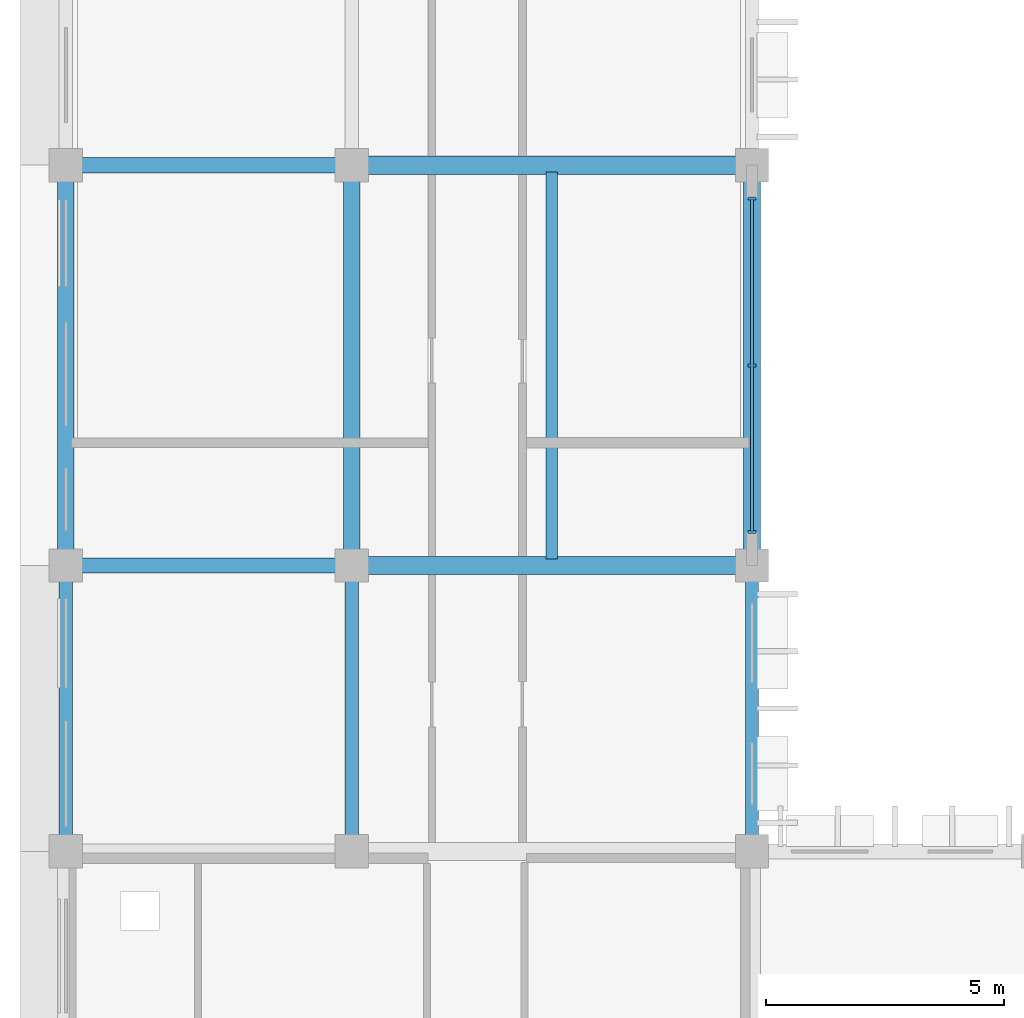
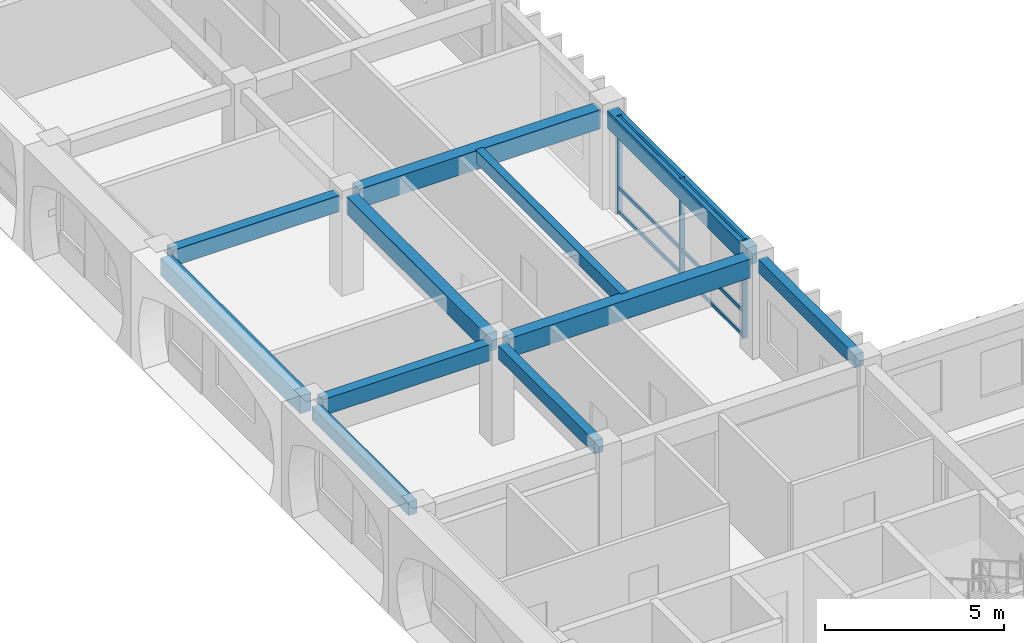
# One storey, part 14 of 88: 11 beams, 6 members, 1 element without a shape of its own.
"""IFC4 building model written with IfcOpenShell, lengths in metres."""

import ifcopenshell
import ifcopenshell.guid

model = None  # the IFC model being written
_history = None  # IfcOwnerHistory: only IFC2X3 demands one
_inside = {}  # id of a spatial element -> (the spatial element, [elements in it])
_under = {}  # id of a project, library or spatial element -> (it, [spatial elements below it])
_declared = {}  # id of a project -> (the project, [libraries it declares])
_typed = {}  # id of a type object -> (the type object, [elements of that type])
_made_of = {}  # id of a material, layer set ... -> (it, [elements and type objects made of it])


def new_model(schema):
    """Start an empty IFC model of exactly this schema.

    Asked for "IFC4X3", IfcOpenShell would pick the latest addendum, in which some entities
    have other attributes; the version numbers below select the first issue.
    IFC2X3 requires an IfcOwnerHistory on every rooted entity: one is made here for all.
    """
    global model, _history
    if schema == "IFC4X3":
        model = ifcopenshell.file(schema_version=(4, 3, 0, 0))
    else:
        model = ifcopenshell.file(schema=schema)
    _inside.clear()
    _under.clear()
    _declared.clear()
    _typed.clear()
    _made_of.clear()
    _history = None
    if model.schema == "IFC2X3":
        org = make("IfcOrganization", Name="unknown")
        user = make(
            "IfcPersonAndOrganization",
            ThePerson=make("IfcPerson", FamilyName="unknown"),
            TheOrganization=org,
        )
        app = make(
            "IfcApplication",
            ApplicationDeveloper=org,
            Version="unknown",
            ApplicationFullName="unknown",
            ApplicationIdentifier="unknown",
        )
        _history = make(
            "IfcOwnerHistory",
            OwningUser=user,
            OwningApplication=app,
            ChangeAction="ADDED",
            CreationDate=0,
        )
    return model


def make(cls, **values):
    """One entity of the class cls with the attributes given. An attribute that is None is left unset."""
    return model.create_entity(
        cls, **{name: value for name, value in values.items() if value is not None}
    )


def rooted(cls, **values):
    """An entity with a GlobalId (a new one), such as an element, a storey or a relation."""
    return make(cls, GlobalId=ifcopenshell.guid.new(), OwnerHistory=_history, **values)


def si_unit(unit_type, name, prefix=None):
    """IfcSIUnit, for example si_unit("LENGTHUNIT", "METRE", prefix="MILLI")."""
    return make("IfcSIUnit", UnitType=unit_type, Prefix=prefix, Name=name)


def assignment(units):
    """IfcUnitAssignment: the units of a project."""
    return None if units is None else make("IfcUnitAssignment", Units=units)


def point(xyz):
    """IfcCartesianPoint."""
    return None if xyz is None else make("IfcCartesianPoint", Coordinates=xyz)


def direction(xyz):
    """IfcDirection."""
    return None if xyz is None else make("IfcDirection", DirectionRatios=xyz)


def frame(location, z_axis=None, x_axis=None):
    """IfcAxis2Placement3D, a coordinate frame: its origin and axes. An axis left out is left unset."""
    return make(
        "IfcAxis2Placement3D",
        Location=point(location),
        Axis=direction(z_axis),
        RefDirection=direction(x_axis),
    )


def frame_2d(location, x_axis=None):
    """IfcAxis2Placement2D, a coordinate frame in the plane: its origin and x axis."""
    return make(
        "IfcAxis2Placement2D", Location=point(location), RefDirection=direction(x_axis)
    )


def origin():
    """The frame at (0, 0, 0) with its axes left unset."""
    return frame((0.0, 0.0, 0.0))


def origin_2d():
    """The frame at (0, 0) in the plane with its x axis left unset."""
    return frame_2d((0.0, 0.0))


def place(relative_to, where):
    """IfcLocalPlacement: puts the frame where relative to a parent placement (None: the world)."""
    return make(
        "IfcLocalPlacement", PlacementRelTo=relative_to, RelativePlacement=where
    )


def context(
    kind, dimensions, precision=None, world=None, true_north=None, identifier=None
):
    """IfcGeometricRepresentationContext, for example the 3D "Model" context."""
    return make(
        "IfcGeometricRepresentationContext",
        ContextIdentifier=identifier,
        ContextType=kind,
        CoordinateSpaceDimension=dimensions,
        Precision=precision,
        WorldCoordinateSystem=world,
        TrueNorth=true_north,
    )


def subcontext(parent, identifier, kind, view, scale=None):
    """IfcGeometricRepresentationSubContext, for example "Body" below "Model"."""
    return make(
        "IfcGeometricRepresentationSubContext",
        ContextIdentifier=identifier,
        ContextType=kind,
        ParentContext=parent,
        TargetScale=scale,
        TargetView=view,
    )


def project(units=None, contexts=None):
    """IfcProject with its units and contexts."""
    return rooted(
        "IfcProject",
        Name="project",
        RepresentationContexts=contexts,
        UnitsInContext=assignment(units),
    )


def spatial(cls, under=None, at=None, **own):
    """A site, building, storey or space (cls), placed at a placement, below another one or the project."""
    s = rooted(cls, ObjectPlacement=at, **own)
    if under is not None:
        _under.setdefault(under.id(), (under, []))[1].append(s)
    return s


def profile(cls, at=None, kind="AREA", **sizes):
    """A parametric profile (cls). Its sizes go by their IFC names, for example OverallWidth=200.0."""
    return make(cls, ProfileType=kind, Position=at, **sizes)


def rectangle(**sizes):
    """IfcRectangleProfileDef."""
    return profile("IfcRectangleProfileDef", **sizes)


def extrude(swept, where, along, depth):
    """IfcExtrudedAreaSolid: the profile swept, set in the frame where, extruded along a direction by depth."""
    return make(
        "IfcExtrudedAreaSolid",
        SweptArea=swept,
        Position=where,
        ExtrudedDirection=direction(along),
        Depth=depth,
    )


def shape(context_of_items, identifier, shape_type, items):
    """IfcShapeRepresentation: the items that make up one representation, for example the "Body"."""
    return make(
        "IfcShapeRepresentation",
        ContextOfItems=context_of_items,
        RepresentationIdentifier=identifier,
        RepresentationType=shape_type,
        Items=items,
    )


def material(Name=None, Category=None):
    """IfcMaterial."""
    return make("IfcMaterial", Name=Name, Category=Category)


def material_profile(
    of_material, cross_section, Name=None, Category=None, Priority=None
):
    """IfcMaterialProfile: a cross section and its material."""
    return make(
        "IfcMaterialProfile",
        Name=Name,
        Material=of_material,
        Profile=cross_section,
        Priority=Priority,
        Category=Category,
    )


def profile_set(profiles, Name=None, composite=None):
    """IfcMaterialProfileSet."""
    return make(
        "IfcMaterialProfileSet",
        Name=Name,
        MaterialProfiles=profiles,
        CompositeProfile=composite,
    )


def made_of(thing, what):
    """Note that an element or type object is made of a material, layer set ...; save() writes the relation."""
    if what is not None:
        _made_of.setdefault(what.id(), (what, []))[1].append(thing)
    return thing


def type_object(cls, material=None, **own):
    """A type object (cls), such as IfcWallType, which elements share."""
    return made_of(rooted(cls, **own), material)


def element(
    cls,
    number,
    at=None,
    inside=None,
    cuts=None,
    type_object=None,
    material=None,
    context=None,
    identifier="Body",
    shape_type=None,
    held_by="IfcProductDefinitionShape",
    body=None,
    shapes=None,
    **own,
):
    """One element of the class cls, such as IfcWall. Its Tag is "e" and its number.

    at: its placement. inside: the storey or other place that contains it. cuts: it is an
    opening in that element (IfcRelVoidsElement). A single representation is given by context,
    identifier, shape_type and body (its items); several are given by shapes. held_by: the class
    of the entity that holds the representations. save() writes the other relations.
    """
    e = rooted(cls, Tag="e%d" % number, ObjectPlacement=at, **own)
    if body is not None:
        shapes = [shape(context, identifier, shape_type, body)]
    if shapes is not None:
        e.Representation = make(held_by, Representations=shapes)
    if inside is not None:
        _inside.setdefault(inside.id(), (inside, []))[1].append(e)
    if cuts is not None:
        rooted(
            "IfcRelVoidsElement", RelatingBuildingElement=cuts, RelatedOpeningElement=e
        )
    if type_object is not None:
        _typed.setdefault(type_object.id(), (type_object, []))[1].append(e)
    return made_of(e, material)


def aggregate(whole, parts):
    """IfcRelAggregates: a whole, such as a stair, and the parts it consists of."""
    return rooted("IfcRelAggregates", RelatingObject=whole, RelatedObjects=parts)


def save(model, path):
    """Write the relations noted so far, then the file.

    IfcRelAggregates (storeys below a building ...), IfcRelContainedInSpatialStructure (elements
    in a storey), IfcRelDefinesByType, IfcRelAssociatesMaterial and IfcRelDeclares: one each for
    every whole, place, type object, material and project.
    """
    for whole, parts in _under.values():
        aggregate(whole, parts)
    for where, things in _inside.values():
        rooted(
            "IfcRelContainedInSpatialStructure",
            RelatedElements=things,
            RelatingStructure=where,
        )
    for kind, things in _typed.values():
        rooted("IfcRelDefinesByType", RelatedObjects=things, RelatingType=kind)
    for what, things in _made_of.values():
        rooted("IfcRelAssociatesMaterial", RelatedObjects=things, RelatingMaterial=what)
    for by, libraries in _declared.values():
        rooted("IfcRelDeclares", RelatingContext=by, RelatedDefinitions=libraries)
    model.write(path)


model = new_model("IFC4")

# Units and contexts
model_context = context("Model", 3, precision=1e-05, world=origin(), true_north=direction((0.0, 1.0)))
body_context = subcontext(model_context, "Body", "Model", "MODEL_VIEW")
ifc_project = project(units=[si_unit("LENGTHUNIT", "METRE"), si_unit("AREAUNIT", "SQUARE_METRE"), si_unit("VOLUMEUNIT", "CUBIC_METRE"), si_unit("PLANEANGLEUNIT", "RADIAN"), si_unit("MASSUNIT", "GRAM", prefix="KILO"), si_unit("THERMODYNAMICTEMPERATUREUNIT", "KELVIN")], contexts=[model_context])

# Site, building, storey
site_placement = place(None, origin())
site = spatial("IfcSite", under=ifc_project, at=site_placement, CompositionType="ELEMENT")
building_placement = place(site_placement, origin())
building = spatial("IfcBuilding", under=site, at=building_placement, Name="Thalorik Housing Commons", CompositionType="ELEMENT")
storey_placement = place(building_placement, frame((0.0, 0.0, 4.5)))
storey = spatial("IfcBuildingStorey", under=building, at=storey_placement, Name="L01", CompositionType="ELEMENT", Elevation=4.5)

# Curtain wall, members
ifc_material_1 = material(Name="Anodised aluminium and solar-control low-E glass", Category="aluminium")
curtain_wall_type = type_object("IfcCurtainWallType", Name="ARC-CW-LOUNGE", PredefinedType="USERDEFINED", material=ifc_material_1)
curtain_wall_placement = place(storey_placement, origin())
curtain_wall = element("IfcCurtainWall", 1, at=curtain_wall_placement, inside=storey, type_object=curtain_wall_type, Name="L01 Curtain Wall CW-RES-L01-C-127", ObjectType="CURTAIN WALL", PredefinedType="USERDEFINED")
ifc_material_2 = material(Name="Anodised aluminium 6063-T6", Category="aluminium")
ifc_material_profile_1 = material_profile(ifc_material_2, rectangle(XDim=0.06005859375, YDim=0.159912109375, at=origin_2d()), Name="ALU MUL 60x160", Category="aluminium")
ifc_profile_set_1 = profile_set([ifc_material_profile_1], Name="Anodised aluminium 6063-T6")
member_type_1 = type_object("IfcMemberType", Name="ARC-CW-MUL-60x160", PredefinedType="MULLION", material=ifc_profile_set_1)
member_1_placement = place(storey_placement, frame((22.800048828125, 29.5, 0.0), z_axis=(0.0, 0.0, 1.0), x_axis=(0.0, 1.0, 0.0)))
member_1 = element("IfcMember", 2, at=member_1_placement, type_object=member_type_1, Name="CW-RES-L01-C-127 Mullion 1", PredefinedType="MULLION", context=body_context, shape_type="SweptSolid", body=[
    extrude(rectangle(XDim=0.06005859375, YDim=0.159912109375, at=origin_2d()), origin(), (0.0, 0.0, 1.0), 3.340087890625),
])
member_2_placement = place(storey_placement, frame((22.800048828125, 33.0, 0.0), z_axis=(0.0, 0.0, 1.0), x_axis=(0.0, 1.0, 0.0)))
member_2 = element("IfcMember", 3, at=member_2_placement, type_object=member_type_1, Name="CW-RES-L01-C-127 Mullion 2", PredefinedType="MULLION", context=body_context, shape_type="SweptSolid", body=[
    extrude(rectangle(XDim=0.06005859375, YDim=0.159912109375, at=origin_2d()), origin(), (0.0, 0.0, 1.0), 3.340087890625),
])
member_3_placement = place(storey_placement, frame((22.800048828125, 36.5, 0.0), z_axis=(0.0, 0.0, 1.0), x_axis=(0.0, 1.0, 0.0)))
member_3 = element("IfcMember", 4, at=member_3_placement, type_object=member_type_1, Name="CW-RES-L01-C-127 Mullion 3", PredefinedType="MULLION", context=body_context, shape_type="SweptSolid", body=[
    extrude(rectangle(XDim=0.06005859375, YDim=0.159912109375, at=origin_2d()), origin(), (0.0, 0.0, 1.0), 3.340087890625),
])
ifc_material_profile_2 = material_profile(ifc_material_2, rectangle(XDim=0.06005859375, YDim=0.1201171875, at=origin_2d()), Name="ALU TRN 60x120", Category="aluminium")
ifc_profile_set_2 = profile_set([ifc_material_profile_2], Name="Anodised aluminium 6063-T6")
member_type_2 = type_object("IfcMemberType", Name="ARC-CW-TRN-60x120", PredefinedType="USERDEFINED", material=ifc_profile_set_2)
member_4_placement = place(storey_placement, frame((22.800048828125, 29.5, 0.054931640625), z_axis=(0.0, 1.0, 0.0), x_axis=(-1.0, 0.0, 0.0)))
member_4 = element("IfcMember", 5, at=member_4_placement, type_object=member_type_2, Name="CW-RES-L01-C-127 Transom 1", ObjectType="TRANSOM", PredefinedType="USERDEFINED", context=body_context, shape_type="SweptSolid", body=[
    extrude(rectangle(XDim=0.06005859375, YDim=0.1201171875, at=origin_2d()), origin(), (0.0, 0.0, 1.0), 7.0),
])
member_5_placement = place(storey_placement, frame((22.800048828125, 29.5, 0.8798828125), z_axis=(0.0, 1.0, 0.0), x_axis=(-1.0, 0.0, 0.0)))
member_5 = element("IfcMember", 6, at=member_5_placement, type_object=member_type_2, Name="CW-RES-L01-C-127 Transom 2", ObjectType="TRANSOM", PredefinedType="USERDEFINED", context=body_context, shape_type="SweptSolid", body=[
    extrude(rectangle(XDim=0.06005859375, YDim=0.1201171875, at=origin_2d()), origin(), (0.0, 0.0, 1.0), 7.0),
])
member_6_placement = place(storey_placement, frame((22.800048828125, 29.5, 3.284912109375), z_axis=(0.0, 1.0, 0.0), x_axis=(-1.0, 0.0, 0.0)))
member_6 = element("IfcMember", 7, at=member_6_placement, type_object=member_type_2, Name="CW-RES-L01-C-127 Transom 3", ObjectType="TRANSOM", PredefinedType="USERDEFINED", context=body_context, shape_type="SweptSolid", body=[
    extrude(rectangle(XDim=0.06005859375, YDim=0.1201171875, at=origin_2d()), origin(), (0.0, 0.0, 1.0), 7.0),
])
aggregate(curtain_wall, [member_1, member_2, member_3, member_4, member_5, member_6])

# Beams
ifc_material_3 = material(Name="Precast concrete C40/50", Category="concrete")
ifc_material_profile_3 = material_profile(ifc_material_3, rectangle(XDim=0.280029296875, YDim=0.449951171875, at=origin_2d()), Name="PC 280x450", Category="concrete")
ifc_profile_set_3 = profile_set([ifc_material_profile_3], Name="Precast concrete C40/50")
beam_type_1 = type_object("IfcBeamType", Name="STR-BM-PC280x450", PredefinedType="BEAM", material=ifc_profile_set_3)
for number, where, z_axis, x_axis, name in (
    (8, (8.39990234375, 23.10009765625, 3.114990234375), (0.0, 1.0, 0.0), (-1.0, 0.0, 0.0), "L01 Beam B-450"),
    (9, (14.39990234375, 23.10009765625, 3.114990234375), (0.0, 1.0, 0.0), (-1.0, 0.0, 0.0), "L01 Beam B-450"),
    (10, (22.800048828125, 23.10009765625, 3.114990234375), (0.0, 1.0, 0.0), (-1.0, 0.0, 0.0), "L01 Beam B-450"),
):
    element("IfcBeam", number, at=place(storey_placement, frame(where, z_axis=z_axis, x_axis=x_axis)), inside=storey, type_object=beam_type_1, Name=name, PredefinedType="BEAM", context=body_context, shape_type="SweptSolid", body=[
        extrude(rectangle(XDim=0.280029296875, YDim=0.449951171875, at=origin_2d()), origin(), (0.0, 0.0, 1.0), 5.39990234375),
    ])
ifc_material_profile_4 = material_profile(ifc_material_3, rectangle(XDim=0.320068359375, YDim=0.550048828125, at=origin_2d()), Name="PC 320x550", Category="concrete")
ifc_profile_set_4 = profile_set([ifc_material_profile_4], Name="Precast concrete C40/50")
beam_type_2 = type_object("IfcBeamType", Name="STR-BM-PC320x550", PredefinedType="BEAM", material=ifc_profile_set_4)
for number, where, z_axis, x_axis, name in (
    (11, (8.699951171875, 28.800048828125, 3.06494140625), (1.0, 0.0, 0.0), (0.0, 1.0, 0.0), "L01 Beam B-550"),
    (12, (8.699951171875, 37.199951171875, 3.06494140625), (1.0, 0.0, 0.0), (0.0, 1.0, 0.0), "L01 Beam B-550"),
):
    element("IfcBeam", number, at=place(storey_placement, frame(where, z_axis=z_axis, x_axis=x_axis)), inside=storey, type_object=beam_type_2, Name=name, PredefinedType="BEAM", context=body_context, shape_type="SweptSolid", body=[
        extrude(rectangle(XDim=0.320068359375, YDim=0.550048828125, at=origin_2d()), origin(), (0.0, 0.0, 1.0), 5.400146484375),
    ])
ifc_material_profile_5 = material_profile(ifc_material_3, rectangle(XDim=0.35009765625, YDim=0.60009765625, at=origin_2d()), Name="PC 350x600", Category="concrete")
ifc_profile_set_5 = profile_set([ifc_material_profile_5], Name="Precast concrete C40/50")
beam_type_3 = type_object("IfcBeamType", Name="STR-BM-PC350x600", PredefinedType="BEAM", material=ifc_profile_set_5)
for number, where, z_axis, x_axis, name in (
    (13, (8.39990234375, 29.10009765625, 3.0400390625), (0.0, 1.0, 0.0), (-1.0, 0.0, 0.0), "L01 Beam B-600"),
    (14, (14.39990234375, 29.10009765625, 3.0400390625), (0.0, 1.0, 0.0), (-1.0, 0.0, 0.0), "L01 Beam B-600"),
    (15, (22.800048828125, 29.10009765625, 3.0400390625), (0.0, 1.0, 0.0), (-1.0, 0.0, 0.0), "L01 Beam B-600"),
):
    element("IfcBeam", number, at=place(storey_placement, frame(where, z_axis=z_axis, x_axis=x_axis)), inside=storey, type_object=beam_type_3, Name=name, PredefinedType="BEAM", context=body_context, shape_type="SweptSolid", body=[
        extrude(rectangle(XDim=0.35009765625, YDim=0.60009765625, at=origin_2d()), origin(), (0.0, 0.0, 1.0), 7.7998046875),
    ])
ifc_material_profile_6 = material_profile(ifc_material_3, rectangle(XDim=0.3798828125, YDim=0.64990234375, at=origin_2d()), Name="PC 380x650", Category="concrete")
ifc_profile_set_6 = profile_set([ifc_material_profile_6], Name="Precast concrete C40/50")
beam_type_4 = type_object("IfcBeamType", Name="STR-BM-PC380x650", PredefinedType="BEAM", material=ifc_profile_set_6)
for number, where, z_axis, x_axis, name in (
    (16, (14.699951171875, 28.800048828125, 3.014892578125), (1.0, 0.0, 0.0), (0.0, 1.0, 0.0), "L01 Beam B-650"),
    (17, (14.699951171875, 37.199951171875, 3.014892578125), (1.0, 0.0, 0.0), (0.0, 1.0, 0.0), "L01 Beam B-650"),
):
    element("IfcBeam", number, at=place(storey_placement, frame(where, z_axis=z_axis, x_axis=x_axis)), inside=storey, type_object=beam_type_4, Name=name, PredefinedType="BEAM", context=body_context, shape_type="SweptSolid", body=[
        extrude(rectangle(XDim=0.3798828125, YDim=0.64990234375, at=origin_2d()), origin(), (0.0, 0.0, 1.0), 7.800048828125),
    ])
ifc_material_profile_7 = material_profile(ifc_material_3, rectangle(XDim=0.239990234375, YDim=0.43994140625, at=origin_2d()), Name="PC JST 240x440", Category="concrete")
ifc_profile_set_7 = profile_set([ifc_material_profile_7], Name="Precast concrete C40/50")
beam_type_5 = type_object("IfcBeamType", Name="STR-JST-PC240x440", PredefinedType="JOIST", material=ifc_profile_set_7)
beam_placement = place(storey_placement, frame((18.60009765625, 28.93994140625, 3.1201171875), z_axis=(0.0, 1.0, 0.0), x_axis=(-1.0, 0.0, 0.0)))
element("IfcBeam", 18, at=beam_placement, inside=storey, type_object=beam_type_5, Name="L01 Beam J-440", PredefinedType="JOIST", context=body_context, shape_type="SweptSolid", body=[
    extrude(rectangle(XDim=0.239990234375, YDim=0.43994140625, at=origin_2d()), origin(), (0.0, 0.0, 1.0), 8.1201171875),
])

save(model, "model.ifc")
